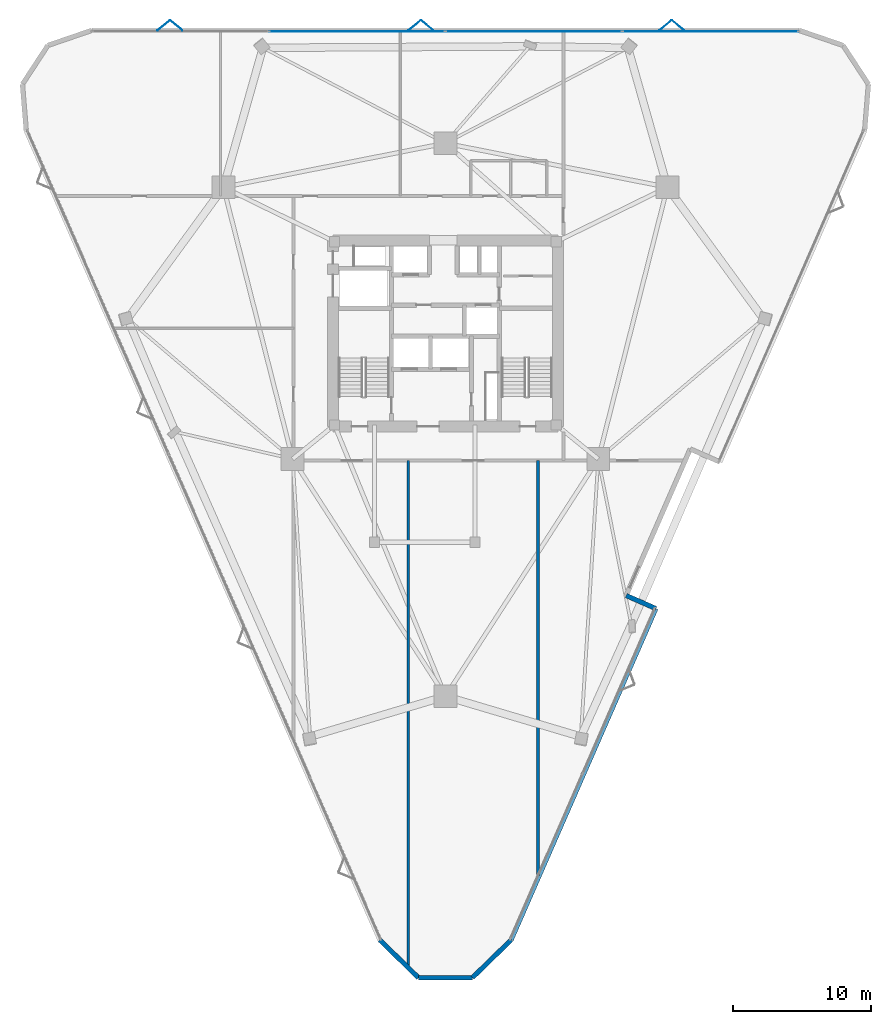
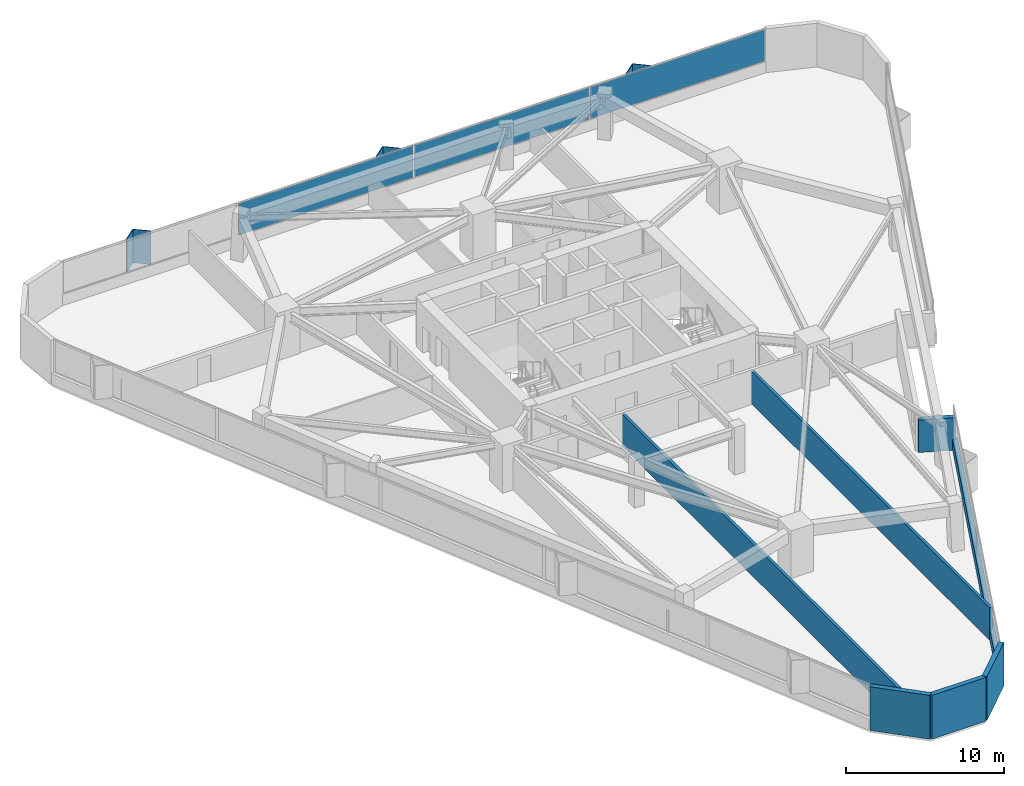
# One storey, part 10 of 13: 9 plates, 7 walls, 1 element without a shape of its own.
"""IFC4 building model written with IfcOpenShell, lengths in metres."""

from ifc_helpers import new_model, si_unit, direction, frame, frame_2d, origin, origin_2d, place, context, subcontext, project, spatial, rectangle, extrude, material, layer, layer_set, type_object, element, aggregate, save


model = new_model("IFC4")

# Units and contexts
model_context = context("Model", 3, precision=1e-05, world=origin(), true_north=direction((0.0, 1.0)))
body_context = subcontext(model_context, "Body", "Model", "MODEL_VIEW")
ifc_project = project(units=[si_unit("LENGTHUNIT", "METRE"), si_unit("AREAUNIT", "SQUARE_METRE"), si_unit("VOLUMEUNIT", "CUBIC_METRE"), si_unit("PLANEANGLEUNIT", "RADIAN"), si_unit("MASSUNIT", "GRAM", prefix="KILO")], contexts=[model_context])

# Site, building, storey
site_placement = place(None, origin())
site = spatial("IfcSite", under=ifc_project, at=site_placement, CompositionType="ELEMENT")
building_placement = place(site_placement, origin())
building = spatial("IfcBuilding", under=site, at=building_placement, Name="Talyreon Biosciences Tower", CompositionType="ELEMENT")
storey_placement = place(building_placement, frame((0.0, 0.0, 104.199951171875)))
storey = spatial("IfcBuildingStorey", under=building, at=storey_placement, Name="L27", CompositionType="ELEMENT", Elevation=104.199951171875)

# Curtain wall, plates
ifc_material_1 = material(Name="Thermally broken aluminium and low-E glazing", Category="aluminium")
ifc_layer_1 = layer(ifc_material_1, 0.205078125)
ifc_layer_set_1 = layer_set([ifc_layer_1], Name="Thermally broken aluminium and low-E glazing")
curtain_wall_type = type_object("IfcCurtainWallType", Name="CurtainWall_SkyGardenLoggia", PredefinedType="NOTDEFINED", material=ifc_layer_set_1)
curtain_wall_placement = place(storey_placement, origin())
curtain_wall = element("IfcCurtainWall", 1, at=curtain_wall_placement, inside=storey, type_object=curtain_wall_type, Name="L27 Unitised Curtain Wall FCW-L27-03", PredefinedType="NOTDEFINED")
ifc_material_2 = material(Name="Acoustic laminated low-E insulated glazing", Category="glass")
ifc_layer_2 = layer(ifc_material_2, 0.0380859375)
ifc_layer_set_2 = layer_set([ifc_layer_2], Name="Acoustic laminated low-E insulated glazing")
plate_type_1 = type_object("IfcPlateType", Name="CWGlazingPanel_38", PredefinedType="CURTAIN_PANEL", material=ifc_layer_set_2)
plate_1_placement = place(storey_placement, frame((59.58642578125, 89.906494140625, 0.875), z_axis=(0.0, 0.0, 1.0), x_axis=(1.0, 0.0, 0.0)))
plate_1 = element("IfcPlate", 2, at=plate_1_placement, type_object=plate_type_1, Name="CW7 panel 2.1", PredefinedType="CURTAIN_PANEL", context=body_context, shape_type="SweptSolid", body=[
    extrude(rectangle(XDim=12.751953125, YDim=0.0380859375, at=origin_2d()), origin(), (0.0, 0.0, 1.0), 2.43505859375),
])
plate_2_placement = place(storey_placement, frame((72.41357421875, 89.906494140625, 0.875), z_axis=(0.0, 0.0, 1.0), x_axis=(1.0, 0.0, 0.0)))
plate_2 = element("IfcPlate", 3, at=plate_2_placement, type_object=plate_type_1, Name="CW7 panel 3.1", PredefinedType="CURTAIN_PANEL", context=body_context, shape_type="SweptSolid", body=[
    extrude(rectangle(XDim=12.751953125, YDim=0.0380859375, at=origin_2d()), origin(), (0.0, 0.0, 1.0), 2.43505859375),
])
plate_3_placement = place(storey_placement, frame((85.2216796875, 89.906494140625, 0.875), z_axis=(0.0, 0.0, 1.0), x_axis=(1.0, 0.0, 0.0)))
plate_3 = element("IfcPlate", 4, at=plate_3_placement, type_object=plate_type_1, Name="CW7 panel 4.1", PredefinedType="CURTAIN_PANEL", context=body_context, shape_type="SweptSolid", body=[
    extrude(rectangle(XDim=12.71435546875, YDim=0.0380859375, at=origin_2d()), origin(), (0.0, 0.0, 1.0), 2.43505859375),
])
aggregate(curtain_wall, [plate_1, plate_2, plate_3])

# Plates
ifc_material_3 = material(Name="Ivory GFRC sunshade panel", Category="concrete")
ifc_layer_3 = layer(ifc_material_3, 0.044921875)
ifc_layer_set_3 = layer_set([ifc_layer_3], Name="Ivory GFRC sunshade panel")
plate_type_2 = type_object("IfcPlateType", Name="FoldedVSunshade_NorthFace_SUNSHADE", PredefinedType="USERDEFINED", material=ifc_layer_set_3)
for number, where, z_axis, x_axis, name in (
    (5, (45.566162109375, 90.3466796875, 0.7900390625), (0.0, 0.0, 1.0), (0.771624583388, 0.636078220278, 0.0), "L27 Folded V-Sunshade Panel 03.01L"),
    (6, (46.466064453125, 90.3466796875, 0.7900390625), (0.0, 0.0, 1.0), (0.771624583388, -0.636078220278, 0.0), "L27 Folded V-Sunshade Panel 03.01R"),
    (7, (63.76611328125, 90.3466796875, 0.7900390625), (0.0, 0.0, 1.0), (0.771624583388, 0.636078220278, 0.0), "L27 Folded V-Sunshade Panel 03.02L"),
    (8, (64.666015625, 90.3466796875, 0.7900390625), (0.0, 0.0, 1.0), (0.771624583388, -0.636078220278, 0.0), "L27 Folded V-Sunshade Panel 03.02R"),
    (9, (81.966064453125, 90.3466796875, 0.7900390625), (0.0, 0.0, 1.0), (0.771624583388, 0.636078220278, 0.0), "L27 Folded V-Sunshade Panel 03.03L"),
    (10, (82.8662109375, 90.3466796875, 0.7900390625), (0.0, 0.0, 1.0), (0.771624583388, -0.636078220278, 0.0), "L27 Folded V-Sunshade Panel 03.03R"),
):
    element("IfcPlate", number, at=place(storey_placement, frame(where, z_axis=z_axis, x_axis=x_axis)), inside=storey, type_object=plate_type_2, Name=name, ObjectType="SUNSHADE", PredefinedType="USERDEFINED", context=body_context, shape_type="SweptSolid", body=[
        extrude(rectangle(XDim=1.14990234375, YDim=0.044921875, at=origin_2d()), origin(), (0.0, 0.0, 1.0), 2.5849609375),
    ])

# Walls
ifc_material_4 = material(Name="Gypsum fireboard acoustic stud", Category="gypsum")
ifc_layer_4 = layer(ifc_material_4, 0.199951171875)
ifc_layer_set_4 = layer_set([ifc_layer_4], Name="Gypsum fireboard acoustic stud")
wall_type_1 = type_object("IfcWallType", Name="ChemControlPartition_200", PredefinedType="PARTITIONING", material=ifc_layer_set_4)
wall_1_placement = place(storey_placement, frame((63.301025390625, 22.096923828125, 0.0), z_axis=(0.0, 0.0, 1.0), x_axis=(0.0, 1.0, 0.0)))
element("IfcWall", 11, at=wall_1_placement, inside=storey, type_object=wall_type_1, Name="L27 Interior Wall IW-L27-SDIV1", PredefinedType="PARTITIONING", context=body_context, shape_type="SweptSolid", body=[
    extrude(rectangle(XDim=36.673095703125, YDim=0.199951171875, at=frame_2d((18.33642578125, 0.0))), origin(), (0.0, 0.0, 1.0), 2.505126953125),
])
wall_2_placement = place(storey_placement, frame((72.721923828125, 28.68310546875, 0.0), z_axis=(0.0, 0.0, 1.0), x_axis=(0.0, 1.0, 0.0)))
element("IfcWall", 12, at=wall_2_placement, inside=storey, type_object=wall_type_1, Name="L27 Interior Wall IW-L27-SDIV2", PredefinedType="PARTITIONING", context=body_context, shape_type="SweptSolid", body=[
    extrude(rectangle(XDim=30.0869140625, YDim=0.199951171875, at=frame_2d((15.04345703125, 0.0))), origin(), (0.0, 0.0, 1.0), 2.505126953125),
])
ifc_material_5 = material(Name="Precast concrete C45/55", Category="concrete")
ifc_layer_5 = layer(ifc_material_5, 0.340087890625)
ifc_layer_set_5 = layer_set([ifc_layer_5], Name="Precast concrete C45/55")
wall_type_2 = type_object("IfcWallType", Name="PrecastConcreteSpandrelWall_340", PredefinedType="STANDARD", material=ifc_layer_set_5)
wall_3_placement = place(storey_placement, frame((79.1162109375, 48.974365234375, 0.0), z_axis=(0.0, 0.0, 1.0), x_axis=(0.916355112529, -0.400366466805, 0.0)))
element("IfcWall", 13, at=wall_3_placement, inside=storey, type_object=wall_type_2, Name="L27 Terrace Backing Concrete Wall 10", PredefinedType="STANDARD", context=body_context, shape_type="SweptSolid", body=[
    extrude(rectangle(XDim=2.35009765625, YDim=0.340087890625, at=frame_2d((1.175048828125, 0.0))), origin(), (0.0, 0.0, 1.0), 2.505126953125),
])
wall_4_placement = place(storey_placement, frame((81.269775390625, 48.033447265625, 0.0), z_axis=(0.0, 0.0, 1.0), x_axis=(-0.400394097172, -0.916343039996, 0.0)))
element("IfcWall", 14, at=wall_4_placement, inside=storey, type_object=wall_type_2, Name="L27 Expressed Concrete Sill Wall 11", PredefinedType="STANDARD", context=body_context, shape_type="SweptSolid", body=[
    extrude(rectangle(XDim=26.236328125, YDim=0.340087890625, at=frame_2d((13.1181640625, 0.0))), origin(), (0.0, 0.0, 1.0), 0.85009765625),
])
wall_5_placement = place(storey_placement, frame((70.764892578125, 23.991943359375, 0.0), z_axis=(0.0, 0.0, 1.0), x_axis=(-0.71611458566, -0.697982736323, 0.0)))
element("IfcWall", 15, at=wall_5_placement, inside=storey, type_object=wall_type_2, Name="L27 Rounded-Corner Concrete Pier 12", PredefinedType="STANDARD", context=body_context, shape_type="SweptSolid", body=[
    extrude(rectangle(XDim=3.918212890625, YDim=0.340087890625, at=frame_2d((1.958984375, 0.0))), origin(), (0.0, 0.0, 1.0), 3.375),
])
wall_6_placement = place(storey_placement, frame((67.958984375, 21.257080078125, 0.0), z_axis=(0.0, 0.0, 1.0), x_axis=(-1.0, 0.0, 0.0)))
element("IfcWall", 16, at=wall_6_placement, inside=storey, type_object=wall_type_2, Name="L27 Rounded-Corner Concrete Pier 13", PredefinedType="STANDARD", context=body_context, shape_type="SweptSolid", body=[
    extrude(rectangle(XDim=3.91796875, YDim=0.340087890625, at=frame_2d((1.958984375, 0.0))), origin(), (0.0, 0.0, 1.0), 3.375),
])
wall_7_placement = place(storey_placement, frame((64.041015625, 21.257080078125, 0.0), z_axis=(0.0, 0.0, 1.0), x_axis=(-0.71611458566, 0.697982736323, 0.0)))
element("IfcWall", 17, at=wall_7_placement, inside=storey, type_object=wall_type_2, Name="L27 Rounded-Corner Concrete Pier 14", PredefinedType="STANDARD", context=body_context, shape_type="SweptSolid", body=[
    extrude(rectangle(XDim=3.918212890625, YDim=0.340087890625, at=frame_2d((1.958984375, 0.0))), origin(), (0.0, 0.0, 1.0), 3.375),
])

save(model, "model.ifc")
